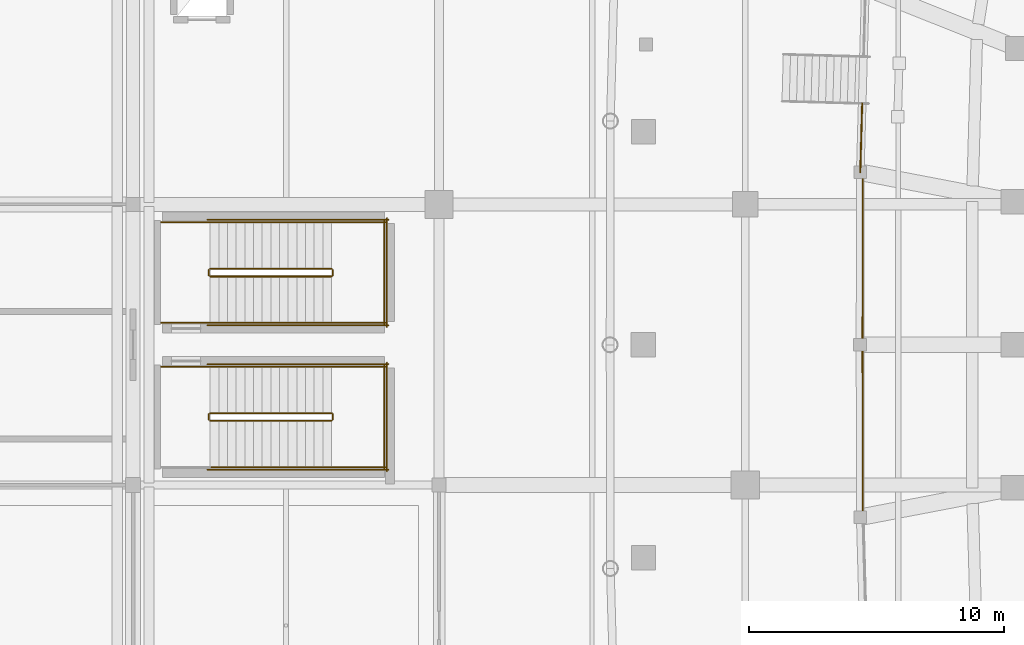
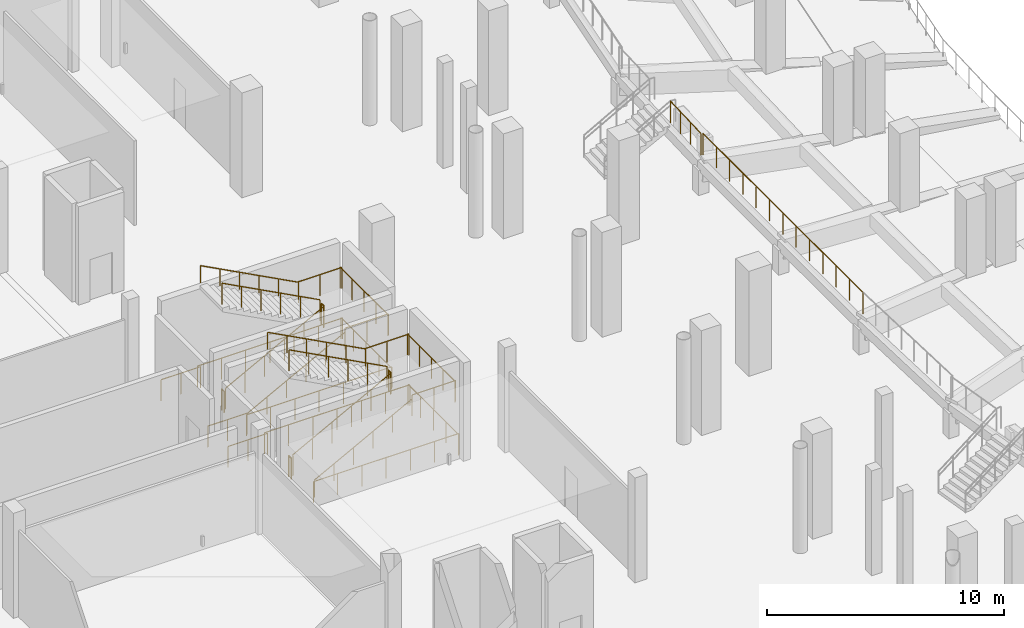
# One storey, part 100 of 120: 30 railings.
"""IFC4 building model written with IfcOpenShell, lengths in metres."""

from ifc_helpers import new_model, si_unit, direction, frame, origin, origin_2d, place, context, subcontext, project, spatial, circle, extrude, material, type_object, element, save


model = new_model("IFC4")

# Units and contexts
model_context = context("Model", 3, precision=1e-05, world=origin(), true_north=direction((0.0, 1.0)))
body_context = subcontext(model_context, "Body", "Model", "MODEL_VIEW")
ifc_project = project(units=[si_unit("LENGTHUNIT", "METRE"), si_unit("AREAUNIT", "SQUARE_METRE"), si_unit("VOLUMEUNIT", "CUBIC_METRE"), si_unit("PLANEANGLEUNIT", "RADIAN"), si_unit("MASSUNIT", "GRAM", prefix="KILO")], contexts=[model_context])

# Site, building, storey
site_placement = place(None, origin())
site = spatial("IfcSite", under=ifc_project, at=site_placement, CompositionType="ELEMENT")
building_placement = place(site_placement, origin())
building = spatial("IfcBuilding", under=site, at=building_placement, Name="Luwafu Chhajja Arena", CompositionType="ELEMENT")
storey_placement = place(building_placement, origin())
storey = spatial("IfcBuildingStorey", under=building, at=storey_placement, Name="L00", CompositionType="ELEMENT", Elevation=0.0)

# Railings
ifc_material_1 = material(Name="Stainless steel balustrade", Category="steel")
railing_type_1 = type_object("IfcRailingType", Name="Atrium Void Glazed Balustrade 1150", PredefinedType="BALUSTRADE", material=ifc_material_1)
railing_1_placement = place(storey_placement, frame((62.509765625, 56.26123046875, 1.85009765625)))
element("IfcRailing", 1, at=railing_1_placement, inside=storey, type_object=railing_type_1, Name="L00 Vomitory VM-04 Wing Guard L", PredefinedType="BALUSTRADE", context=body_context, shape_type="SweptSolid", body=[
    extrude(circle(Radius=0.02392578125, at=origin_2d()), frame((0.0, 0.0, 1.1259765625), z_axis=(0.027832280146, 0.999612607054, 0.0), x_axis=(-0.999612607054, 0.027832280146, 0.0)), (0.0, 0.0, 1.0), 2.70166015625),
    extrude(circle(Radius=0.02099609375, at=origin_2d()), origin(), (0.0, 0.0, 1.0), 1.101806640625),
    extrude(circle(Radius=0.02099609375, at=origin_2d()), frame((0.025146484375, 0.900146484375, 0.0)), (0.0, 0.0, 1.0), 1.101806640625),
    extrude(circle(Radius=0.02099609375, at=origin_2d()), frame((0.050048828125, 1.800537109375, 0.0)), (0.0, 0.0, 1.0), 1.101806640625),
    extrude(circle(Radius=0.02099609375, at=origin_2d()), frame((0.0751953125, 2.70068359375, 0.0)), (0.0, 0.0, 1.0), 1.101806640625),
])
railing_type_2 = type_object("IfcRailingType", Name="Seating Bowl Sightline Barrier 1100", PredefinedType="BALUSTRADE", material=ifc_material_1)
railing_2_placement = place(storey_placement, frame((62.60986328125, 56.2412109375, 1.85009765625)))
element("IfcRailing", 2, at=railing_2_placement, inside=storey, type_object=railing_type_2, Name="L00 Lower Tier Rear Barrier 0102", PredefinedType="BALUSTRADE", context=body_context, shape_type="SweptSolid", body=[
    extrude(circle(Radius=0.02392578125, at=origin_2d()), frame((0.0, 0.0, 1.09619140625), z_axis=(-0.001448643996, -0.999998950715, 0.0), x_axis=(0.999998950715, -0.001448643996, 0.0)), (0.0, 0.0, 1.0), 6.7412109375),
    extrude(circle(Radius=0.02099609375, at=origin_2d()), origin(), (0.0, 0.0, 1.0), 1.072021484375),
    extrude(circle(Radius=0.02099609375, at=origin_2d()), frame((-0.001708984375, -1.12353515625, 0.0)), (0.0, 0.0, 1.0), 1.072021484375),
    extrude(circle(Radius=0.02099609375, at=origin_2d()), frame((-0.003173828125, -2.2470703125, 0.0)), (0.0, 0.0, 1.0), 1.072021484375),
    extrude(circle(Radius=0.02099609375, at=origin_2d()), frame((-0.0048828125, -3.37060546875, 0.0)), (0.0, 0.0, 1.0), 1.072021484375),
    extrude(circle(Radius=0.02099609375, at=origin_2d()), frame((-0.006591796875, -4.494140625, 0.0)), (0.0, 0.0, 1.0), 1.072021484375),
    extrude(circle(Radius=0.02099609375, at=origin_2d()), frame((-0.008056640625, -5.61767578125, 0.0)), (0.0, 0.0, 1.0), 1.072021484375),
    extrude(circle(Radius=0.02099609375, at=origin_2d()), frame((-0.009765625, -6.7412109375, 0.0)), (0.0, 0.0, 1.0), 1.072021484375),
])
railing_3_placement = place(storey_placement, frame((62.60009765625, 49.5, 1.85009765625)))
element("IfcRailing", 3, at=railing_3_placement, inside=storey, type_object=railing_type_2, Name="L00 Lower Tier Rear Barrier 0106", PredefinedType="BALUSTRADE", context=body_context, shape_type="SweptSolid", body=[
    extrude(circle(Radius=0.02392578125, at=origin_2d()), frame((0.0, 0.0, 1.09619140625), z_axis=(0.001448643996, -0.999998950715, 0.0), x_axis=(0.999998950715, 0.001448643996, 0.0)), (0.0, 0.0, 1.0), 6.7412109375),
    extrude(circle(Radius=0.02099609375, at=origin_2d()), origin(), (0.0, 0.0, 1.0), 1.072021484375),
    extrude(circle(Radius=0.02099609375, at=origin_2d()), frame((0.001708984375, -1.12353515625, 0.0)), (0.0, 0.0, 1.0), 1.072021484375),
    extrude(circle(Radius=0.02099609375, at=origin_2d()), frame((0.003173828125, -2.2470703125, 0.0)), (0.0, 0.0, 1.0), 1.072021484375),
    extrude(circle(Radius=0.02099609375, at=origin_2d()), frame((0.0048828125, -3.37060546875, 0.0)), (0.0, 0.0, 1.0), 1.072021484375),
    extrude(circle(Radius=0.02099609375, at=origin_2d()), frame((0.006591796875, -4.494140625, 0.0)), (0.0, 0.0, 1.0), 1.072021484375),
    extrude(circle(Radius=0.02099609375, at=origin_2d()), frame((0.008056640625, -5.61767578125, 0.0)), (0.0, 0.0, 1.0), 1.072021484375),
    extrude(circle(Radius=0.02099609375, at=origin_2d()), frame((0.009765625, -6.7412109375, 0.0)), (0.0, 0.0, 1.0), 1.072021484375),
])
ifc_material_2 = material(Name="Stainless steel handrail", Category="steel")
railing_type_3 = type_object("IfcRailingType", Name="Stair Pitch Wall Handrail 920", PredefinedType="HANDRAIL", material=ifc_material_2)
railing_4_placement = place(storey_placement, frame((37.02001953125, 44.699951171875, 0.179931640625)))
element("IfcRailing", 4, at=railing_4_placement, inside=storey, type_object=railing_type_3, Name="L00 ST-09 stair handrail 1", PredefinedType="HANDRAIL", context=body_context, shape_type="SweptSolid", body=[
    extrude(circle(Radius=0.02392578125, at=origin_2d()), frame((0.0, 0.0, 0.8759765625), z_axis=(0.883786813738, 0.0, 0.467889803119), x_axis=(0.0, 1.0, 0.0)), (0.0, 0.0, 1.0), 5.385986328125),
    extrude(circle(Radius=0.02099609375, at=origin_2d()), origin(), (0.0, 0.0, 1.0), 0.851806640625),
    extrude(circle(Radius=0.02099609375, at=origin_2d()), frame((0.951904296875, 0.0, 0.50390625)), (0.0, 0.0, 1.0), 0.851806640625),
    extrude(circle(Radius=0.02099609375, at=origin_2d()), frame((1.904052734375, 0.0, 1.008056640625)), (0.0, 0.0, 1.0), 0.851806640625),
    extrude(circle(Radius=0.02099609375, at=origin_2d()), frame((2.85595703125, 0.0, 1.511962890625)), (0.0, 0.0, 1.0), 0.851806640625),
    extrude(circle(Radius=0.02099609375, at=origin_2d()), frame((3.80810546875, 0.0, 2.01611328125)), (0.0, 0.0, 1.0), 0.851806640625),
    extrude(circle(Radius=0.02099609375, at=origin_2d()), frame((4.760009765625, 0.0, 2.52001953125)), (0.0, 0.0, 1.0), 0.851806640625),
])
railing_5_placement = place(storey_placement, frame((41.780029296875, 48.639892578125, 2.8798828125)))
element("IfcRailing", 5, at=railing_5_placement, inside=storey, type_object=railing_type_3, Name="L00 ST-09 stair handrail 2", PredefinedType="HANDRAIL", context=body_context, shape_type="SweptSolid", body=[
    extrude(circle(Radius=0.02392578125, at=origin_2d()), frame((0.0, 0.0, 0.8759765625), z_axis=(-0.883786813738, 0.0, 0.467889803119), x_axis=(0.0, -1.0, 0.0)), (0.0, 0.0, 1.0), 5.385986328125),
    extrude(circle(Radius=0.02099609375, at=origin_2d()), origin(), (0.0, 0.0, 1.0), 0.851806640625),
    extrude(circle(Radius=0.02099609375, at=origin_2d()), frame((-0.951904296875, 0.0, 0.50390625)), (0.0, 0.0, 1.0), 0.851806640625),
    extrude(circle(Radius=0.02099609375, at=origin_2d()), frame((-1.904052734375, 0.0, 1.008056640625)), (0.0, 0.0, 1.0), 0.851806640625),
    extrude(circle(Radius=0.02099609375, at=origin_2d()), frame((-2.85595703125, 0.0, 1.511962890625)), (0.0, 0.0, 1.0), 0.851806640625),
    extrude(circle(Radius=0.02099609375, at=origin_2d()), frame((-3.80810546875, 0.0, 2.01611328125)), (0.0, 0.0, 1.0), 0.851806640625),
    extrude(circle(Radius=0.02099609375, at=origin_2d()), frame((-4.760009765625, 0.0, 2.52001953125)), (0.0, 0.0, 1.0), 0.851806640625),
])
railing_6_placement = place(storey_placement, frame((37.02001953125, 50.360107421875, 0.179931640625)))
element("IfcRailing", 6, at=railing_6_placement, inside=storey, type_object=railing_type_3, Name="L00 ST-10 stair handrail 1", PredefinedType="HANDRAIL", context=body_context, shape_type="SweptSolid", body=[
    extrude(circle(Radius=0.02392578125, at=origin_2d()), frame((0.0, 0.0, 0.8759765625), z_axis=(0.883786813738, 0.0, 0.467889803119), x_axis=(0.0, 1.0, 0.0)), (0.0, 0.0, 1.0), 5.385986328125),
    extrude(circle(Radius=0.02099609375, at=origin_2d()), origin(), (0.0, 0.0, 1.0), 0.851806640625),
    extrude(circle(Radius=0.02099609375, at=origin_2d()), frame((0.951904296875, 0.0, 0.50390625)), (0.0, 0.0, 1.0), 0.851806640625),
    extrude(circle(Radius=0.02099609375, at=origin_2d()), frame((1.904052734375, 0.0, 1.008056640625)), (0.0, 0.0, 1.0), 0.851806640625),
    extrude(circle(Radius=0.02099609375, at=origin_2d()), frame((2.85595703125, 0.0, 1.511962890625)), (0.0, 0.0, 1.0), 0.851806640625),
    extrude(circle(Radius=0.02099609375, at=origin_2d()), frame((3.80810546875, 0.0, 2.01611328125)), (0.0, 0.0, 1.0), 0.851806640625),
    extrude(circle(Radius=0.02099609375, at=origin_2d()), frame((4.760009765625, 0.0, 2.52001953125)), (0.0, 0.0, 1.0), 0.851806640625),
])
railing_7_placement = place(storey_placement, frame((41.780029296875, 54.300048828125, 2.8798828125)))
element("IfcRailing", 7, at=railing_7_placement, inside=storey, type_object=railing_type_3, Name="L00 ST-10 stair handrail 2", PredefinedType="HANDRAIL", context=body_context, shape_type="SweptSolid", body=[
    extrude(circle(Radius=0.02392578125, at=origin_2d()), frame((0.0, 0.0, 0.8759765625), z_axis=(-0.883786813738, 0.0, 0.467889803119), x_axis=(0.0, -1.0, 0.0)), (0.0, 0.0, 1.0), 5.385986328125),
    extrude(circle(Radius=0.02099609375, at=origin_2d()), origin(), (0.0, 0.0, 1.0), 0.851806640625),
    extrude(circle(Radius=0.02099609375, at=origin_2d()), frame((-0.951904296875, 0.0, 0.50390625)), (0.0, 0.0, 1.0), 0.851806640625),
    extrude(circle(Radius=0.02099609375, at=origin_2d()), frame((-1.904052734375, 0.0, 1.008056640625)), (0.0, 0.0, 1.0), 0.851806640625),
    extrude(circle(Radius=0.02099609375, at=origin_2d()), frame((-2.85595703125, 0.0, 1.511962890625)), (0.0, 0.0, 1.0), 0.851806640625),
    extrude(circle(Radius=0.02099609375, at=origin_2d()), frame((-3.80810546875, 0.0, 2.01611328125)), (0.0, 0.0, 1.0), 0.851806640625),
    extrude(circle(Radius=0.02099609375, at=origin_2d()), frame((-4.760009765625, 0.0, 2.52001953125)), (0.0, 0.0, 1.0), 0.851806640625),
])
railing_type_4 = type_object("IfcRailingType", Name="Stair and Terrace Guard Balustrade 1100", PredefinedType="BALUSTRADE", material=ifc_material_1)
railing_8_placement = place(storey_placement, frame((37.02001953125, 46.52001953125, 0.179931640625)))
element("IfcRailing", 8, at=railing_8_placement, inside=storey, type_object=railing_type_4, Name="L00 ST-09 stair guard 1", PredefinedType="BALUSTRADE", context=body_context, shape_type="SweptSolid", body=[
    extrude(circle(Radius=0.02392578125, at=origin_2d()), frame((0.0, 0.0, 1.076171875), z_axis=(0.883786813738, 0.0, 0.467889803119), x_axis=(0.0, 1.0, 0.0)), (0.0, 0.0, 1.0), 5.385986328125),
    extrude(circle(Radius=0.02099609375, at=origin_2d()), origin(), (0.0, 0.0, 1.0), 1.052001953125),
    extrude(circle(Radius=0.02099609375, at=origin_2d()), frame((0.951904296875, 0.0, 0.50390625)), (0.0, 0.0, 1.0), 1.052001953125),
    extrude(circle(Radius=0.02099609375, at=origin_2d()), frame((1.904052734375, 0.0, 1.008056640625)), (0.0, 0.0, 1.0), 1.052001953125),
    extrude(circle(Radius=0.02099609375, at=origin_2d()), frame((2.85595703125, 0.0, 1.511962890625)), (0.0, 0.0, 1.0), 1.052001953125),
    extrude(circle(Radius=0.02099609375, at=origin_2d()), frame((3.80810546875, 0.0, 2.01611328125)), (0.0, 0.0, 1.0), 1.052001953125),
    extrude(circle(Radius=0.02099609375, at=origin_2d()), frame((4.760009765625, 0.0, 2.52001953125)), (0.0, 0.0, 1.0), 1.052001953125),
])
railing_9_placement = place(storey_placement, frame((41.830078125, 46.570068359375, 2.699951171875)))
element("IfcRailing", 9, at=railing_9_placement, inside=storey, type_object=railing_type_4, Name="L00 ST-09 stair guard 2", PredefinedType="BALUSTRADE", context=body_context, shape_type="SweptSolid", body=[
    extrude(circle(Radius=0.02392578125, at=origin_2d()), frame((0.0, 0.0, 1.076171875), z_axis=(0.0, 1.0, 0.0), x_axis=(-1.0, 0.0, 0.0)), (0.0, 0.0, 1.0), 0.199951171875),
    extrude(circle(Radius=0.02099609375, at=origin_2d()), origin(), (0.0, 0.0, 1.0), 1.052001953125),
    extrude(circle(Radius=0.02099609375, at=origin_2d()), frame((0.0, 0.199951171875, 0.0)), (0.0, 0.0, 1.0), 1.052001953125),
])
for number, where, name in (
    (10, (41.780029296875, 44.699951171875, 2.699951171875), "L00 ST-09 stair guard 3"),
    (11, (41.780029296875, 48.639892578125, 2.699951171875), "L00 ST-09 stair guard 4"),
):
    element("IfcRailing", number, at=place(storey_placement, frame(where)), inside=storey, type_object=railing_type_4, Name=name, PredefinedType="BALUSTRADE", context=body_context, shape_type="SweptSolid", body=[
        extrude(circle(Radius=0.02392578125, at=origin_2d()), frame((0.0, 0.0, 1.076171875), z_axis=(1.0, 0.0, 0.0), x_axis=(0.0, 1.0, 0.0)), (0.0, 0.0, 1.0), 2.119873046875),
        extrude(circle(Radius=0.02099609375, at=origin_2d()), origin(), (0.0, 0.0, 1.0), 1.052001953125),
        extrude(circle(Radius=0.02099609375, at=origin_2d()), frame((1.06005859375, 0.0, 0.0)), (0.0, 0.0, 1.0), 1.052001953125),
        extrude(circle(Radius=0.02099609375, at=origin_2d()), frame((2.119873046875, 0.0, 0.0)), (0.0, 0.0, 1.0), 1.052001953125),
    ])
railing_10_placement = place(storey_placement, frame((43.85009765625, 44.64990234375, 2.699951171875)))
element("IfcRailing", 12, at=railing_10_placement, inside=storey, type_object=railing_type_4, Name="L00 ST-09 stair guard 5", PredefinedType="BALUSTRADE", context=body_context, shape_type="SweptSolid", body=[
    extrude(circle(Radius=0.02392578125, at=origin_2d()), frame((0.0, 0.0, 1.076171875), z_axis=(0.0, 1.0, 0.0), x_axis=(-1.0, 0.0, 0.0)), (0.0, 0.0, 1.0), 4.0400390625),
    extrude(circle(Radius=0.02099609375, at=origin_2d()), origin(), (0.0, 0.0, 1.0), 1.052001953125),
    extrude(circle(Radius=0.02099609375, at=origin_2d()), frame((0.0, 1.010009765625, 0.0)), (0.0, 0.0, 1.0), 1.052001953125),
    extrude(circle(Radius=0.02099609375, at=origin_2d()), frame((0.0, 2.02001953125, 0.0)), (0.0, 0.0, 1.0), 1.052001953125),
    extrude(circle(Radius=0.02099609375, at=origin_2d()), frame((0.0, 3.030029296875, 0.0)), (0.0, 0.0, 1.0), 1.052001953125),
    extrude(circle(Radius=0.02099609375, at=origin_2d()), frame((0.0, 4.0400390625, 0.0)), (0.0, 0.0, 1.0), 1.052001953125),
])
railing_11_placement = place(storey_placement, frame((41.780029296875, 46.820068359375, 2.8798828125)))
element("IfcRailing", 13, at=railing_11_placement, inside=storey, type_object=railing_type_4, Name="L00 ST-09 stair guard 6", PredefinedType="BALUSTRADE", context=body_context, shape_type="SweptSolid", body=[
    extrude(circle(Radius=0.02392578125, at=origin_2d()), frame((0.0, 0.0, 1.076171875), z_axis=(-0.883786813738, 0.0, 0.467889803119), x_axis=(0.0, -1.0, 0.0)), (0.0, 0.0, 1.0), 5.385986328125),
    extrude(circle(Radius=0.02099609375, at=origin_2d()), origin(), (0.0, 0.0, 1.0), 1.052001953125),
    extrude(circle(Radius=0.02099609375, at=origin_2d()), frame((-0.951904296875, 0.0, 0.50390625)), (0.0, 0.0, 1.0), 1.052001953125),
    extrude(circle(Radius=0.02099609375, at=origin_2d()), frame((-1.904052734375, 0.0, 1.008056640625)), (0.0, 0.0, 1.0), 1.052001953125),
    extrude(circle(Radius=0.02099609375, at=origin_2d()), frame((-2.85595703125, 0.0, 1.511962890625)), (0.0, 0.0, 1.0), 1.052001953125),
    extrude(circle(Radius=0.02099609375, at=origin_2d()), frame((-3.80810546875, 0.0, 2.01611328125)), (0.0, 0.0, 1.0), 1.052001953125),
    extrude(circle(Radius=0.02099609375, at=origin_2d()), frame((-4.760009765625, 0.0, 2.52001953125)), (0.0, 0.0, 1.0), 1.052001953125),
])
railing_12_placement = place(storey_placement, frame((36.969970703125, 46.570068359375, 0.0)))
element("IfcRailing", 14, at=railing_12_placement, inside=storey, type_object=railing_type_4, Name="L00 ST-09 stair guard 7", PredefinedType="BALUSTRADE", context=body_context, shape_type="SweptSolid", body=[
    extrude(circle(Radius=0.02392578125, at=origin_2d()), frame((0.0, 0.0, 1.076171875), z_axis=(0.0, 1.0, 0.0), x_axis=(-1.0, 0.0, 0.0)), (0.0, 0.0, 1.0), 0.199951171875),
    extrude(circle(Radius=0.02099609375, at=origin_2d()), origin(), (0.0, 0.0, 1.0), 1.052001953125),
    extrude(circle(Radius=0.02099609375, at=origin_2d()), frame((0.0, 0.199951171875, 0.0)), (0.0, 0.0, 1.0), 1.052001953125),
])
railing_13_placement = place(storey_placement, frame((35.10009765625, 48.639892578125, 0.0)))
element("IfcRailing", 15, at=railing_13_placement, inside=storey, type_object=railing_type_4, Name="L00 ST-09 stair guard 9", PredefinedType="BALUSTRADE", context=body_context, shape_type="SweptSolid", body=[
    extrude(circle(Radius=0.02392578125, at=origin_2d()), frame((0.0, 0.0, 1.076171875), z_axis=(1.0, 0.0, 0.0), x_axis=(0.0, 1.0, 0.0)), (0.0, 0.0, 1.0), 1.919921875),
    extrude(circle(Radius=0.02099609375, at=origin_2d()), origin(), (0.0, 0.0, 1.0), 1.052001953125),
    extrude(circle(Radius=0.02099609375, at=origin_2d()), frame((0.9599609375, 0.0, 0.0)), (0.0, 0.0, 1.0), 1.052001953125),
    extrude(circle(Radius=0.02099609375, at=origin_2d()), frame((1.919921875, 0.0, 0.0)), (0.0, 0.0, 1.0), 1.052001953125),
])
for number, where, name in (
    (16, (36.919921875, 44.60009765625, 0.0), "L00 ST-09 stair guard 10"),
    (17, (36.919921875, 48.739990234375, 0.0), "L00 ST-09 stair guard 11"),
):
    element("IfcRailing", number, at=place(storey_placement, frame(where)), inside=storey, type_object=railing_type_4, Name=name, PredefinedType="BALUSTRADE", context=body_context, shape_type="SweptSolid", body=[
        extrude(circle(Radius=0.02392578125, at=origin_2d()), frame((0.0, 0.0, 1.076171875), z_axis=(1.0, 0.0, 0.0), x_axis=(0.0, 1.0, 0.0)), (0.0, 0.0, 1.0), 7.080078125),
        extrude(circle(Radius=0.02099609375, at=origin_2d()), origin(), (0.0, 0.0, 1.0), 1.052001953125),
        extrude(circle(Radius=0.02099609375, at=origin_2d()), frame((1.179931640625, 0.0, 0.0)), (0.0, 0.0, 1.0), 1.052001953125),
        extrude(circle(Radius=0.02099609375, at=origin_2d()), frame((2.360107421875, 0.0, 0.0)), (0.0, 0.0, 1.0), 1.052001953125),
        extrude(circle(Radius=0.02099609375, at=origin_2d()), frame((3.5400390625, 0.0, 0.0)), (0.0, 0.0, 1.0), 1.052001953125),
        extrude(circle(Radius=0.02099609375, at=origin_2d()), frame((4.719970703125, 0.0, 0.0)), (0.0, 0.0, 1.0), 1.052001953125),
        extrude(circle(Radius=0.02099609375, at=origin_2d()), frame((5.900146484375, 0.0, 0.0)), (0.0, 0.0, 1.0), 1.052001953125),
        extrude(circle(Radius=0.02099609375, at=origin_2d()), frame((7.080078125, 0.0, 0.0)), (0.0, 0.0, 1.0), 1.052001953125),
    ])
railing_14_placement = place(storey_placement, frame((43.949951171875, 44.550048828125, 0.0)))
element("IfcRailing", 18, at=railing_14_placement, inside=storey, type_object=railing_type_4, Name="L00 ST-09 stair guard 12", PredefinedType="BALUSTRADE", context=body_context, shape_type="SweptSolid", body=[
    extrude(circle(Radius=0.02392578125, at=origin_2d()), frame((0.0, 0.0, 1.076171875), z_axis=(0.0, 1.0, 0.0), x_axis=(-1.0, 0.0, 0.0)), (0.0, 0.0, 1.0), 4.239990234375),
    extrude(circle(Radius=0.02099609375, at=origin_2d()), origin(), (0.0, 0.0, 1.0), 1.052001953125),
    extrude(circle(Radius=0.02099609375, at=origin_2d()), frame((0.0, 1.06005859375, 0.0)), (0.0, 0.0, 1.0), 1.052001953125),
    extrude(circle(Radius=0.02099609375, at=origin_2d()), frame((0.0, 2.1201171875, 0.0)), (0.0, 0.0, 1.0), 1.052001953125),
    extrude(circle(Radius=0.02099609375, at=origin_2d()), frame((0.0, 3.179931640625, 0.0)), (0.0, 0.0, 1.0), 1.052001953125),
    extrude(circle(Radius=0.02099609375, at=origin_2d()), frame((0.0, 4.239990234375, 0.0)), (0.0, 0.0, 1.0), 1.052001953125),
])
railing_15_placement = place(storey_placement, frame((37.02001953125, 52.179931640625, 0.179931640625)))
element("IfcRailing", 19, at=railing_15_placement, inside=storey, type_object=railing_type_4, Name="L00 ST-10 stair guard 1", PredefinedType="BALUSTRADE", context=body_context, shape_type="SweptSolid", body=[
    extrude(circle(Radius=0.02392578125, at=origin_2d()), frame((0.0, 0.0, 1.076171875), z_axis=(0.883786813738, 0.0, 0.467889803119), x_axis=(0.0, 1.0, 0.0)), (0.0, 0.0, 1.0), 5.385986328125),
    extrude(circle(Radius=0.02099609375, at=origin_2d()), origin(), (0.0, 0.0, 1.0), 1.052001953125),
    extrude(circle(Radius=0.02099609375, at=origin_2d()), frame((0.951904296875, 0.0, 0.50390625)), (0.0, 0.0, 1.0), 1.052001953125),
    extrude(circle(Radius=0.02099609375, at=origin_2d()), frame((1.904052734375, 0.0, 1.008056640625)), (0.0, 0.0, 1.0), 1.052001953125),
    extrude(circle(Radius=0.02099609375, at=origin_2d()), frame((2.85595703125, 0.0, 1.511962890625)), (0.0, 0.0, 1.0), 1.052001953125),
    extrude(circle(Radius=0.02099609375, at=origin_2d()), frame((3.80810546875, 0.0, 2.01611328125)), (0.0, 0.0, 1.0), 1.052001953125),
    extrude(circle(Radius=0.02099609375, at=origin_2d()), frame((4.760009765625, 0.0, 2.52001953125)), (0.0, 0.0, 1.0), 1.052001953125),
])
railing_16_placement = place(storey_placement, frame((41.830078125, 52.22998046875, 2.699951171875)))
element("IfcRailing", 20, at=railing_16_placement, inside=storey, type_object=railing_type_4, Name="L00 ST-10 stair guard 2", PredefinedType="BALUSTRADE", context=body_context, shape_type="SweptSolid", body=[
    extrude(circle(Radius=0.02392578125, at=origin_2d()), frame((0.0, 0.0, 1.076171875), z_axis=(0.0, 1.0, 0.0), x_axis=(-1.0, 0.0, 0.0)), (0.0, 0.0, 1.0), 0.199951171875),
    extrude(circle(Radius=0.02099609375, at=origin_2d()), origin(), (0.0, 0.0, 1.0), 1.052001953125),
    extrude(circle(Radius=0.02099609375, at=origin_2d()), frame((0.0, 0.199951171875, 0.0)), (0.0, 0.0, 1.0), 1.052001953125),
])
for number, where, name in (
    (21, (41.780029296875, 50.360107421875, 2.699951171875), "L00 ST-10 stair guard 3"),
    (22, (41.780029296875, 54.300048828125, 2.699951171875), "L00 ST-10 stair guard 4"),
):
    element("IfcRailing", number, at=place(storey_placement, frame(where)), inside=storey, type_object=railing_type_4, Name=name, PredefinedType="BALUSTRADE", context=body_context, shape_type="SweptSolid", body=[
        extrude(circle(Radius=0.02392578125, at=origin_2d()), frame((0.0, 0.0, 1.076171875), z_axis=(1.0, 0.0, 0.0), x_axis=(0.0, 1.0, 0.0)), (0.0, 0.0, 1.0), 2.119873046875),
        extrude(circle(Radius=0.02099609375, at=origin_2d()), origin(), (0.0, 0.0, 1.0), 1.052001953125),
        extrude(circle(Radius=0.02099609375, at=origin_2d()), frame((1.06005859375, 0.0, 0.0)), (0.0, 0.0, 1.0), 1.052001953125),
        extrude(circle(Radius=0.02099609375, at=origin_2d()), frame((2.119873046875, 0.0, 0.0)), (0.0, 0.0, 1.0), 1.052001953125),
    ])
railing_17_placement = place(storey_placement, frame((43.85009765625, 50.31005859375, 2.699951171875)))
element("IfcRailing", 23, at=railing_17_placement, inside=storey, type_object=railing_type_4, Name="L00 ST-10 stair guard 5", PredefinedType="BALUSTRADE", context=body_context, shape_type="SweptSolid", body=[
    extrude(circle(Radius=0.02392578125, at=origin_2d()), frame((0.0, 0.0, 1.076171875), z_axis=(0.0, 1.0, 0.0), x_axis=(-1.0, 0.0, 0.0)), (0.0, 0.0, 1.0), 4.0400390625),
    extrude(circle(Radius=0.02099609375, at=origin_2d()), origin(), (0.0, 0.0, 1.0), 1.052001953125),
    extrude(circle(Radius=0.02099609375, at=origin_2d()), frame((0.0, 1.010009765625, 0.0)), (0.0, 0.0, 1.0), 1.052001953125),
    extrude(circle(Radius=0.02099609375, at=origin_2d()), frame((0.0, 2.02001953125, 0.0)), (0.0, 0.0, 1.0), 1.052001953125),
    extrude(circle(Radius=0.02099609375, at=origin_2d()), frame((0.0, 3.030029296875, 0.0)), (0.0, 0.0, 1.0), 1.052001953125),
    extrude(circle(Radius=0.02099609375, at=origin_2d()), frame((0.0, 4.0400390625, 0.0)), (0.0, 0.0, 1.0), 1.052001953125),
])
railing_18_placement = place(storey_placement, frame((41.780029296875, 52.47998046875, 2.8798828125)))
element("IfcRailing", 24, at=railing_18_placement, inside=storey, type_object=railing_type_4, Name="L00 ST-10 stair guard 6", PredefinedType="BALUSTRADE", context=body_context, shape_type="SweptSolid", body=[
    extrude(circle(Radius=0.02392578125, at=origin_2d()), frame((0.0, 0.0, 1.076171875), z_axis=(-0.883786813738, 0.0, 0.467889803119), x_axis=(0.0, -1.0, 0.0)), (0.0, 0.0, 1.0), 5.385986328125),
    extrude(circle(Radius=0.02099609375, at=origin_2d()), origin(), (0.0, 0.0, 1.0), 1.052001953125),
    extrude(circle(Radius=0.02099609375, at=origin_2d()), frame((-0.951904296875, 0.0, 0.50390625)), (0.0, 0.0, 1.0), 1.052001953125),
    extrude(circle(Radius=0.02099609375, at=origin_2d()), frame((-1.904052734375, 0.0, 1.008056640625)), (0.0, 0.0, 1.0), 1.052001953125),
    extrude(circle(Radius=0.02099609375, at=origin_2d()), frame((-2.85595703125, 0.0, 1.511962890625)), (0.0, 0.0, 1.0), 1.052001953125),
    extrude(circle(Radius=0.02099609375, at=origin_2d()), frame((-3.80810546875, 0.0, 2.01611328125)), (0.0, 0.0, 1.0), 1.052001953125),
    extrude(circle(Radius=0.02099609375, at=origin_2d()), frame((-4.760009765625, 0.0, 2.52001953125)), (0.0, 0.0, 1.0), 1.052001953125),
])
railing_19_placement = place(storey_placement, frame((36.969970703125, 52.22998046875, 0.0)))
element("IfcRailing", 25, at=railing_19_placement, inside=storey, type_object=railing_type_4, Name="L00 ST-10 stair guard 7", PredefinedType="BALUSTRADE", context=body_context, shape_type="SweptSolid", body=[
    extrude(circle(Radius=0.02392578125, at=origin_2d()), frame((0.0, 0.0, 1.076171875), z_axis=(0.0, 1.0, 0.0), x_axis=(-1.0, 0.0, 0.0)), (0.0, 0.0, 1.0), 0.199951171875),
    extrude(circle(Radius=0.02099609375, at=origin_2d()), origin(), (0.0, 0.0, 1.0), 1.052001953125),
    extrude(circle(Radius=0.02099609375, at=origin_2d()), frame((0.0, 0.199951171875, 0.0)), (0.0, 0.0, 1.0), 1.052001953125),
])
for number, where, name in (
    (26, (35.10009765625, 50.360107421875, 0.0), "L00 ST-10 stair guard 8"),
    (27, (35.10009765625, 54.300048828125, 0.0), "L00 ST-10 stair guard 9"),
):
    element("IfcRailing", number, at=place(storey_placement, frame(where)), inside=storey, type_object=railing_type_4, Name=name, PredefinedType="BALUSTRADE", context=body_context, shape_type="SweptSolid", body=[
        extrude(circle(Radius=0.02392578125, at=origin_2d()), frame((0.0, 0.0, 1.076171875), z_axis=(1.0, 0.0, 0.0), x_axis=(0.0, 1.0, 0.0)), (0.0, 0.0, 1.0), 1.919921875),
        extrude(circle(Radius=0.02099609375, at=origin_2d()), origin(), (0.0, 0.0, 1.0), 1.052001953125),
        extrude(circle(Radius=0.02099609375, at=origin_2d()), frame((0.9599609375, 0.0, 0.0)), (0.0, 0.0, 1.0), 1.052001953125),
        extrude(circle(Radius=0.02099609375, at=origin_2d()), frame((1.919921875, 0.0, 0.0)), (0.0, 0.0, 1.0), 1.052001953125),
    ])
for number, where, name in (
    (28, (36.919921875, 50.260009765625, 0.0), "L00 ST-10 stair guard 10"),
    (29, (36.919921875, 54.39990234375, 0.0), "L00 ST-10 stair guard 11"),
):
    element("IfcRailing", number, at=place(storey_placement, frame(where)), inside=storey, type_object=railing_type_4, Name=name, PredefinedType="BALUSTRADE", context=body_context, shape_type="SweptSolid", body=[
        extrude(circle(Radius=0.02392578125, at=origin_2d()), frame((0.0, 0.0, 1.076171875), z_axis=(1.0, 0.0, 0.0), x_axis=(0.0, 1.0, 0.0)), (0.0, 0.0, 1.0), 7.080078125),
        extrude(circle(Radius=0.02099609375, at=origin_2d()), origin(), (0.0, 0.0, 1.0), 1.052001953125),
        extrude(circle(Radius=0.02099609375, at=origin_2d()), frame((1.179931640625, 0.0, 0.0)), (0.0, 0.0, 1.0), 1.052001953125),
        extrude(circle(Radius=0.02099609375, at=origin_2d()), frame((2.360107421875, 0.0, 0.0)), (0.0, 0.0, 1.0), 1.052001953125),
        extrude(circle(Radius=0.02099609375, at=origin_2d()), frame((3.5400390625, 0.0, 0.0)), (0.0, 0.0, 1.0), 1.052001953125),
        extrude(circle(Radius=0.02099609375, at=origin_2d()), frame((4.719970703125, 0.0, 0.0)), (0.0, 0.0, 1.0), 1.052001953125),
        extrude(circle(Radius=0.02099609375, at=origin_2d()), frame((5.900146484375, 0.0, 0.0)), (0.0, 0.0, 1.0), 1.052001953125),
        extrude(circle(Radius=0.02099609375, at=origin_2d()), frame((7.080078125, 0.0, 0.0)), (0.0, 0.0, 1.0), 1.052001953125),
    ])
railing_20_placement = place(storey_placement, frame((43.949951171875, 50.2099609375, 0.0)))
element("IfcRailing", 30, at=railing_20_placement, inside=storey, type_object=railing_type_4, Name="L00 ST-10 stair guard 12", PredefinedType="BALUSTRADE", context=body_context, shape_type="SweptSolid", body=[
    extrude(circle(Radius=0.02392578125, at=origin_2d()), frame((0.0, 0.0, 1.076171875), z_axis=(0.0, 1.0, 0.0), x_axis=(-1.0, 0.0, 0.0)), (0.0, 0.0, 1.0), 4.239990234375),
    extrude(circle(Radius=0.02099609375, at=origin_2d()), origin(), (0.0, 0.0, 1.0), 1.052001953125),
    extrude(circle(Radius=0.02099609375, at=origin_2d()), frame((0.0, 1.06005859375, 0.0)), (0.0, 0.0, 1.0), 1.052001953125),
    extrude(circle(Radius=0.02099609375, at=origin_2d()), frame((0.0, 2.1201171875, 0.0)), (0.0, 0.0, 1.0), 1.052001953125),
    extrude(circle(Radius=0.02099609375, at=origin_2d()), frame((0.0, 3.179931640625, 0.0)), (0.0, 0.0, 1.0), 1.052001953125),
    extrude(circle(Radius=0.02099609375, at=origin_2d()), frame((0.0, 4.239990234375, 0.0)), (0.0, 0.0, 1.0), 1.052001953125),
])

save(model, "model.ifc")
